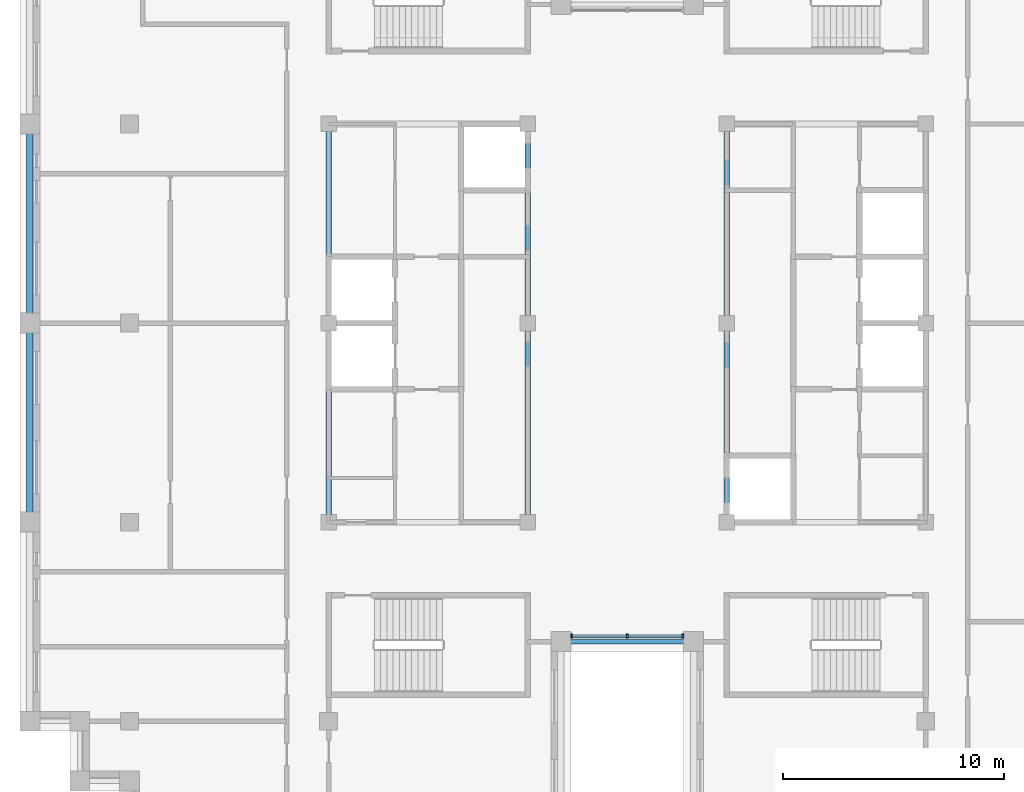
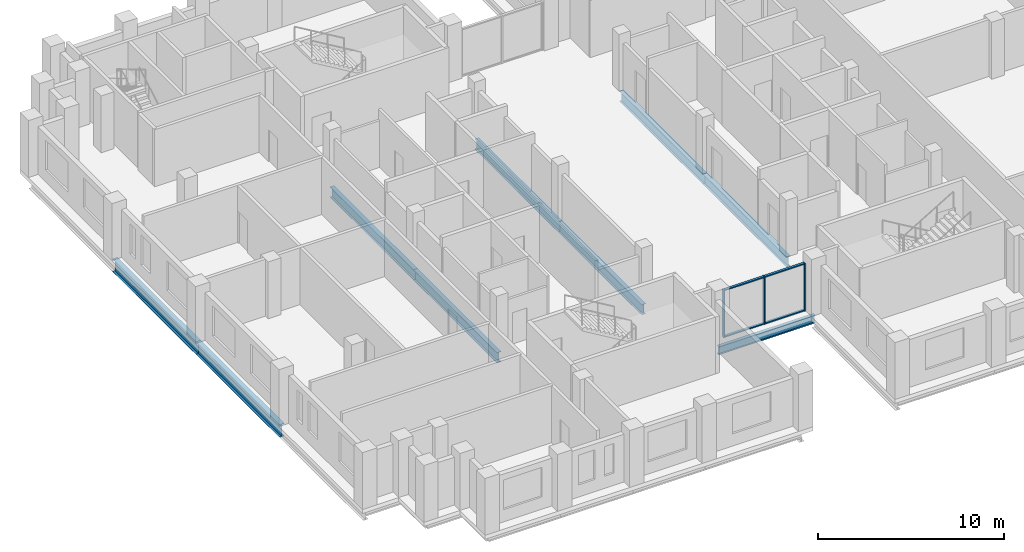
# One storey, part 2 of 13: 9 beams, 7 members, 1 element without a shape of its own.
"""IFC4 building model written with IfcOpenShell, lengths in metres."""

import ifcopenshell
import ifcopenshell.guid

model = None  # the IFC model being written
_history = None  # IfcOwnerHistory: only IFC2X3 demands one
_inside = {}  # id of a spatial element -> (the spatial element, [elements in it])
_under = {}  # id of a project, library or spatial element -> (it, [spatial elements below it])
_declared = {}  # id of a project -> (the project, [libraries it declares])
_typed = {}  # id of a type object -> (the type object, [elements of that type])
_made_of = {}  # id of a material, layer set ... -> (it, [elements and type objects made of it])


def new_model(schema):
    """Start an empty IFC model of exactly this schema.

    Asked for "IFC4X3", IfcOpenShell would pick the latest addendum, in which some entities
    have other attributes; the version numbers below select the first issue.
    IFC2X3 requires an IfcOwnerHistory on every rooted entity: one is made here for all.
    """
    global model, _history
    if schema == "IFC4X3":
        model = ifcopenshell.file(schema_version=(4, 3, 0, 0))
    else:
        model = ifcopenshell.file(schema=schema)
    _inside.clear()
    _under.clear()
    _declared.clear()
    _typed.clear()
    _made_of.clear()
    _history = None
    if model.schema == "IFC2X3":
        org = make("IfcOrganization", Name="unknown")
        user = make(
            "IfcPersonAndOrganization",
            ThePerson=make("IfcPerson", FamilyName="unknown"),
            TheOrganization=org,
        )
        app = make(
            "IfcApplication",
            ApplicationDeveloper=org,
            Version="unknown",
            ApplicationFullName="unknown",
            ApplicationIdentifier="unknown",
        )
        _history = make(
            "IfcOwnerHistory",
            OwningUser=user,
            OwningApplication=app,
            ChangeAction="ADDED",
            CreationDate=0,
        )
    return model


def make(cls, **values):
    """One entity of the class cls with the attributes given. An attribute that is None is left unset."""
    return model.create_entity(
        cls, **{name: value for name, value in values.items() if value is not None}
    )


def rooted(cls, **values):
    """An entity with a GlobalId (a new one), such as an element, a storey or a relation."""
    return make(cls, GlobalId=ifcopenshell.guid.new(), OwnerHistory=_history, **values)


def si_unit(unit_type, name, prefix=None):
    """IfcSIUnit, for example si_unit("LENGTHUNIT", "METRE", prefix="MILLI")."""
    return make("IfcSIUnit", UnitType=unit_type, Prefix=prefix, Name=name)


def assignment(units):
    """IfcUnitAssignment: the units of a project."""
    return None if units is None else make("IfcUnitAssignment", Units=units)


def point(xyz):
    """IfcCartesianPoint."""
    return None if xyz is None else make("IfcCartesianPoint", Coordinates=xyz)


def direction(xyz):
    """IfcDirection."""
    return None if xyz is None else make("IfcDirection", DirectionRatios=xyz)


def frame(location, z_axis=None, x_axis=None):
    """IfcAxis2Placement3D, a coordinate frame: its origin and axes. An axis left out is left unset."""
    return make(
        "IfcAxis2Placement3D",
        Location=point(location),
        Axis=direction(z_axis),
        RefDirection=direction(x_axis),
    )


def frame_2d(location, x_axis=None):
    """IfcAxis2Placement2D, a coordinate frame in the plane: its origin and x axis."""
    return make(
        "IfcAxis2Placement2D", Location=point(location), RefDirection=direction(x_axis)
    )


def origin():
    """The frame at (0, 0, 0) with its axes left unset."""
    return frame((0.0, 0.0, 0.0))


def origin_2d():
    """The frame at (0, 0) in the plane with its x axis left unset."""
    return frame_2d((0.0, 0.0))


def place(relative_to, where):
    """IfcLocalPlacement: puts the frame where relative to a parent placement (None: the world)."""
    return make(
        "IfcLocalPlacement", PlacementRelTo=relative_to, RelativePlacement=where
    )


def context(
    kind, dimensions, precision=None, world=None, true_north=None, identifier=None
):
    """IfcGeometricRepresentationContext, for example the 3D "Model" context."""
    return make(
        "IfcGeometricRepresentationContext",
        ContextIdentifier=identifier,
        ContextType=kind,
        CoordinateSpaceDimension=dimensions,
        Precision=precision,
        WorldCoordinateSystem=world,
        TrueNorth=true_north,
    )


def subcontext(parent, identifier, kind, view, scale=None):
    """IfcGeometricRepresentationSubContext, for example "Body" below "Model"."""
    return make(
        "IfcGeometricRepresentationSubContext",
        ContextIdentifier=identifier,
        ContextType=kind,
        ParentContext=parent,
        TargetScale=scale,
        TargetView=view,
    )


def project(units=None, contexts=None):
    """IfcProject with its units and contexts."""
    return rooted(
        "IfcProject",
        Name="project",
        RepresentationContexts=contexts,
        UnitsInContext=assignment(units),
    )


def spatial(cls, under=None, at=None, **own):
    """A site, building, storey or space (cls), placed at a placement, below another one or the project."""
    s = rooted(cls, ObjectPlacement=at, **own)
    if under is not None:
        _under.setdefault(under.id(), (under, []))[1].append(s)
    return s


def profile(cls, at=None, kind="AREA", **sizes):
    """A parametric profile (cls). Its sizes go by their IFC names, for example OverallWidth=200.0."""
    return make(cls, ProfileType=kind, Position=at, **sizes)


def rectangle(**sizes):
    """IfcRectangleProfileDef."""
    return profile("IfcRectangleProfileDef", **sizes)


def i_section(**sizes):
    """IfcIShapeProfileDef."""
    return profile("IfcIShapeProfileDef", **sizes)


def extrude(swept, where, along, depth):
    """IfcExtrudedAreaSolid: the profile swept, set in the frame where, extruded along a direction by depth."""
    return make(
        "IfcExtrudedAreaSolid",
        SweptArea=swept,
        Position=where,
        ExtrudedDirection=direction(along),
        Depth=depth,
    )


def shape(context_of_items, identifier, shape_type, items):
    """IfcShapeRepresentation: the items that make up one representation, for example the "Body"."""
    return make(
        "IfcShapeRepresentation",
        ContextOfItems=context_of_items,
        RepresentationIdentifier=identifier,
        RepresentationType=shape_type,
        Items=items,
    )


def material(Name=None, Category=None):
    """IfcMaterial."""
    return make("IfcMaterial", Name=Name, Category=Category)


def layer(
    of_material, thickness, ventilated=None, Name=None, Category=None, Priority=None
):
    """IfcMaterialLayer: one layer of a wall or slab, of a material (None: an air gap)."""
    return make(
        "IfcMaterialLayer",
        Material=of_material,
        LayerThickness=thickness,
        IsVentilated=ventilated,
        Name=Name,
        Category=Category,
        Priority=Priority,
    )


def layer_set(layers, Name=None):
    """IfcMaterialLayerSet."""
    return make("IfcMaterialLayerSet", MaterialLayers=layers, LayerSetName=Name)


def material_profile(
    of_material, cross_section, Name=None, Category=None, Priority=None
):
    """IfcMaterialProfile: a cross section and its material."""
    return make(
        "IfcMaterialProfile",
        Name=Name,
        Material=of_material,
        Profile=cross_section,
        Priority=Priority,
        Category=Category,
    )


def profile_set(profiles, Name=None, composite=None):
    """IfcMaterialProfileSet."""
    return make(
        "IfcMaterialProfileSet",
        Name=Name,
        MaterialProfiles=profiles,
        CompositeProfile=composite,
    )


def made_of(thing, what):
    """Note that an element or type object is made of a material, layer set ...; save() writes the relation."""
    if what is not None:
        _made_of.setdefault(what.id(), (what, []))[1].append(thing)
    return thing


def type_object(cls, material=None, **own):
    """A type object (cls), such as IfcWallType, which elements share."""
    return made_of(rooted(cls, **own), material)


def element(
    cls,
    number,
    at=None,
    inside=None,
    cuts=None,
    type_object=None,
    material=None,
    context=None,
    identifier="Body",
    shape_type=None,
    held_by="IfcProductDefinitionShape",
    body=None,
    shapes=None,
    **own,
):
    """One element of the class cls, such as IfcWall. Its Tag is "e" and its number.

    at: its placement. inside: the storey or other place that contains it. cuts: it is an
    opening in that element (IfcRelVoidsElement). A single representation is given by context,
    identifier, shape_type and body (its items); several are given by shapes. held_by: the class
    of the entity that holds the representations. save() writes the other relations.
    """
    e = rooted(cls, Tag="e%d" % number, ObjectPlacement=at, **own)
    if body is not None:
        shapes = [shape(context, identifier, shape_type, body)]
    if shapes is not None:
        e.Representation = make(held_by, Representations=shapes)
    if inside is not None:
        _inside.setdefault(inside.id(), (inside, []))[1].append(e)
    if cuts is not None:
        rooted(
            "IfcRelVoidsElement", RelatingBuildingElement=cuts, RelatedOpeningElement=e
        )
    if type_object is not None:
        _typed.setdefault(type_object.id(), (type_object, []))[1].append(e)
    return made_of(e, material)


def aggregate(whole, parts):
    """IfcRelAggregates: a whole, such as a stair, and the parts it consists of."""
    return rooted("IfcRelAggregates", RelatingObject=whole, RelatedObjects=parts)


def save(model, path):
    """Write the relations noted so far, then the file.

    IfcRelAggregates (storeys below a building ...), IfcRelContainedInSpatialStructure (elements
    in a storey), IfcRelDefinesByType, IfcRelAssociatesMaterial and IfcRelDeclares: one each for
    every whole, place, type object, material and project.
    """
    for whole, parts in _under.values():
        aggregate(whole, parts)
    for where, things in _inside.values():
        rooted(
            "IfcRelContainedInSpatialStructure",
            RelatedElements=things,
            RelatingStructure=where,
        )
    for kind, things in _typed.values():
        rooted("IfcRelDefinesByType", RelatedObjects=things, RelatingType=kind)
    for what, things in _made_of.values():
        rooted("IfcRelAssociatesMaterial", RelatedObjects=things, RelatingMaterial=what)
    for by, libraries in _declared.values():
        rooted("IfcRelDeclares", RelatingContext=by, RelatedDefinitions=libraries)
    model.write(path)


model = new_model("IFC4")

# Units and contexts
model_context = context("Model", 3, precision=1e-05, world=origin(), true_north=direction((0.0, 1.0)))
body_context = subcontext(model_context, "Body", "Model", "MODEL_VIEW")
ifc_project = project(units=[si_unit("LENGTHUNIT", "METRE"), si_unit("AREAUNIT", "SQUARE_METRE"), si_unit("VOLUMEUNIT", "CUBIC_METRE"), si_unit("PLANEANGLEUNIT", "RADIAN"), si_unit("MASSUNIT", "GRAM", prefix="KILO")], contexts=[model_context])

# Site, building, storey
site_placement = place(None, origin())
site = spatial("IfcSite", under=ifc_project, at=site_placement, CompositionType="ELEMENT")
building_placement = place(site_placement, origin())
building = spatial("IfcBuilding", under=site, at=building_placement, Name="Corbelhall Arena Tower", CompositionType="ELEMENT")
storey_placement = place(building_placement, frame((0.0, 0.0, 308.0)))
storey = spatial("IfcBuildingStorey", under=building, at=storey_placement, Name="L67", CompositionType="ELEMENT", Elevation=308.0)

# Curtain wall, members
ifc_material_1 = material(Name="Aluminium black anodised", Category="aluminium")
ifc_layer = layer(ifc_material_1, 0.199951171875)
ifc_layer_set = layer_set([ifc_layer], Name="EV-CW1 Slot back wall")
curtain_wall_type = type_object("IfcCurtainWallType", Name="EV-CW1 Slot back wall", PredefinedType="NOTDEFINED", material=ifc_layer_set)
curtain_wall_placement = place(storey_placement, origin())
curtain_wall = element("IfcCurtainWall", 1, at=curtain_wall_placement, inside=storey, type_object=curtain_wall_type, Name="Curtain wall CW1", PredefinedType="NOTDEFINED")
ifc_material_profile_1 = material_profile(ifc_material_1, rectangle(XDim=0.199951171875, YDim=0.074951171875, at=origin_2d()))
ifc_profile_set_1 = profile_set([ifc_material_profile_1], Name="Aluminium black anodised")
member_type_1 = type_object("IfcMemberType", Name="EV-CW1-MULLION", PredefinedType="MULLION", material=ifc_profile_set_1)
member_1_placement = place(storey_placement, frame((-2.512451171875, -14.14990234375, 0.0), z_axis=(0.0, 0.0, 1.0), x_axis=(0.0, 1.0, 0.0)))
member_1 = element("IfcMember", 2, at=member_1_placement, type_object=member_type_1, Name="CW1 mullion 1", PredefinedType="MULLION", context=body_context, shape_type="SweptSolid", body=[
    extrude(rectangle(XDim=0.199951171875, YDim=0.074951171875, at=origin_2d()), origin(), (0.0, 0.0, 1.0), 3.139892578125),
])
member_2_placement = place(storey_placement, frame((0.0, -14.14990234375, 0.0), z_axis=(0.0, 0.0, 1.0), x_axis=(0.0, 1.0, 0.0)))
member_2 = element("IfcMember", 3, at=member_2_placement, type_object=member_type_1, Name="CW1 mullion 2", PredefinedType="MULLION", context=body_context, shape_type="SweptSolid", body=[
    extrude(rectangle(XDim=0.199951171875, YDim=0.074951171875, at=origin_2d()), origin(), (0.0, 0.0, 1.0), 3.139892578125),
])
member_3_placement = place(storey_placement, frame((2.512451171875, -14.14990234375, 0.0), z_axis=(0.0, 0.0, 1.0), x_axis=(0.0, 1.0, 0.0)))
member_3 = element("IfcMember", 4, at=member_3_placement, type_object=member_type_1, Name="CW1 mullion 3", PredefinedType="MULLION", context=body_context, shape_type="SweptSolid", body=[
    extrude(rectangle(XDim=0.199951171875, YDim=0.074951171875, at=origin_2d()), origin(), (0.0, 0.0, 1.0), 3.139892578125),
])
ifc_material_profile_2 = material_profile(ifc_material_1, rectangle(XDim=0.14990234375, YDim=0.074951171875, at=origin_2d()))
ifc_profile_set_2 = profile_set([ifc_material_profile_2], Name="Aluminium black anodised")
member_type_2 = type_object("IfcMemberType", Name="EV-CW1-TRANSOM", PredefinedType="USERDEFINED", material=ifc_profile_set_2)
member_4_placement = place(storey_placement, frame((-2.47509765625, -14.14990234375, 0.03759765625), z_axis=(1.0, 0.0, 0.0), x_axis=(0.0, 1.0, 0.0)))
member_4 = element("IfcMember", 5, at=member_4_placement, type_object=member_type_2, Name="CW1 transom 1.1", ObjectType="transom", PredefinedType="USERDEFINED", context=body_context, shape_type="SweptSolid", body=[
    extrude(rectangle(XDim=0.14990234375, YDim=0.074951171875, at=origin_2d()), origin(), (0.0, 0.0, 1.0), 2.4375),
])
member_5_placement = place(storey_placement, frame((-2.47509765625, -14.14990234375, 3.1025390625), z_axis=(1.0, 0.0, 0.0), x_axis=(0.0, 1.0, 0.0)))
member_5 = element("IfcMember", 6, at=member_5_placement, type_object=member_type_2, Name="CW1 transom 1.2", ObjectType="transom", PredefinedType="USERDEFINED", context=body_context, shape_type="SweptSolid", body=[
    extrude(rectangle(XDim=0.14990234375, YDim=0.074951171875, at=origin_2d()), origin(), (0.0, 0.0, 1.0), 2.4375),
])
member_6_placement = place(storey_placement, frame((0.03759765625, -14.14990234375, 0.03759765625), z_axis=(1.0, 0.0, 0.0), x_axis=(0.0, 1.0, 0.0)))
member_6 = element("IfcMember", 7, at=member_6_placement, type_object=member_type_2, Name="CW1 transom 2.1", ObjectType="transom", PredefinedType="USERDEFINED", context=body_context, shape_type="SweptSolid", body=[
    extrude(rectangle(XDim=0.14990234375, YDim=0.074951171875, at=origin_2d()), origin(), (0.0, 0.0, 1.0), 2.4375),
])
member_7_placement = place(storey_placement, frame((0.03759765625, -14.14990234375, 3.1025390625), z_axis=(1.0, 0.0, 0.0), x_axis=(0.0, 1.0, 0.0)))
member_7 = element("IfcMember", 8, at=member_7_placement, type_object=member_type_2, Name="CW1 transom 2.2", ObjectType="transom", PredefinedType="USERDEFINED", context=body_context, shape_type="SweptSolid", body=[
    extrude(rectangle(XDim=0.14990234375, YDim=0.074951171875, at=origin_2d()), origin(), (0.0, 0.0, 1.0), 2.4375),
])
aggregate(curtain_wall, [member_1, member_2, member_3, member_4, member_5, member_6, member_7])

# Beams
ifc_material_2 = material(Name="Steel ASTM A992 Gr50", Category="steel")
ifc_material_profile_3 = material_profile(ifc_material_2, i_section(OverallWidth=0.25390625, OverallDepth=0.67822265625, WebThickness=0.01171875, FlangeThickness=0.016357421875, at=origin_2d()))
ifc_profile_set_3 = profile_set([ifc_material_profile_3], Name="Steel ASTM A992 Gr50")
beam_type_1 = type_object("IfcBeamType", Name="ST-BEAM-W27x84", PredefinedType="BEAM", material=ifc_profile_set_3)
for number, where, z_axis, x_axis, name in (
    (9, (-13.5, -9.0, -0.59912109375), (0.0, 1.0, 0.0), (-1.0, 0.0, 0.0), "Beam CEW 1"),
    (10, (-13.5, 0.0, -0.59912109375), (0.0, 1.0, 0.0), (-1.0, 0.0, 0.0), "Beam CEW 2"),
    (11, (-4.5, -9.0, -0.59912109375), (0.0, 1.0, 0.0), (-1.0, 0.0, 0.0), "Beam CEW 3"),
    (12, (-4.5, 0.0, -0.59912109375), (0.0, 1.0, 0.0), (-1.0, 0.0, 0.0), "Beam CEW 4"),
    (13, (4.5, -9.0, -0.59912109375), (0.0, 1.0, 0.0), (-1.0, 0.0, 0.0), "Beam CEE 7"),
    (14, (4.5, 0.0, -0.59912109375), (0.0, 1.0, 0.0), (-1.0, 0.0, 0.0), "Beam CEE 8"),
):
    element("IfcBeam", number, at=place(storey_placement, frame(where, z_axis=z_axis, x_axis=x_axis)), inside=storey, type_object=beam_type_1, Name=name, PredefinedType="BEAM", context=body_context, shape_type="SweptSolid", body=[
        extrude(i_section(OverallWidth=0.25390625, OverallDepth=0.67822265625, WebThickness=0.01171875, FlangeThickness=0.016357421875, at=origin_2d()), origin(), (0.0, 0.0, 1.0), 9.0),
    ])
ifc_material_profile_4 = material_profile(ifc_material_2, i_section(OverallWidth=0.209228515625, OverallDepth=0.533447265625, WebThickness=0.01025390625, FlangeThickness=0.015625, at=origin_2d()))
ifc_profile_set_4 = profile_set([ifc_material_profile_4], Name="Steel ASTM A992 Gr50")
beam_type_2 = type_object("IfcBeamType", Name="ST-SPANDREL-W21x62", PredefinedType="SPANDREL", material=ifc_profile_set_4)
beam_placement = place(storey_placement, frame((3.0, -14.39990234375, -0.526611328125), z_axis=(-1.0, 0.0, 0.0), x_axis=(0.0, -1.0, 0.0)))
element("IfcBeam", 15, at=beam_placement, inside=storey, type_object=beam_type_2, Name="Beam SP 33", PredefinedType="SPANDREL", context=body_context, shape_type="SweptSolid", body=[
    extrude(i_section(OverallWidth=0.209228515625, OverallDepth=0.533447265625, WebThickness=0.01025390625, FlangeThickness=0.015625, at=origin_2d()), origin(), (0.0, 0.0, 1.0), 6.0),
])
ifc_material_profile_5 = material_profile(ifc_material_2, i_section(OverallWidth=0.2919921875, OverallDepth=0.845703125, WebThickness=0.015380859375, FlangeThickness=0.0244140625, at=origin_2d()))
ifc_profile_set_5 = profile_set([ifc_material_profile_5], Name="Steel ASTM A992 Gr50")
beam_type_3 = type_object("IfcBeamType", Name="ST-SPANDREL-W33x141", PredefinedType="SPANDREL", material=ifc_profile_set_5)
for number, where, z_axis, x_axis, name in (
    (16, (-27.0, 0.0, -0.682861328125), (0.0, 1.0, 0.0), (-1.0, 0.0, 0.0), "Beam SP 26"),
    (17, (-27.0, -9.0, -0.682861328125), (0.0, 1.0, 0.0), (-1.0, 0.0, 0.0), "Beam SP 29"),
):
    element("IfcBeam", number, at=place(storey_placement, frame(where, z_axis=z_axis, x_axis=x_axis)), inside=storey, type_object=beam_type_3, Name=name, PredefinedType="SPANDREL", context=body_context, shape_type="SweptSolid", body=[
        extrude(i_section(OverallWidth=0.2919921875, OverallDepth=0.845703125, WebThickness=0.015380859375, FlangeThickness=0.0244140625, at=origin_2d()), origin(), (0.0, 0.0, 1.0), 9.0),
    ])

save(model, "model.ifc")
